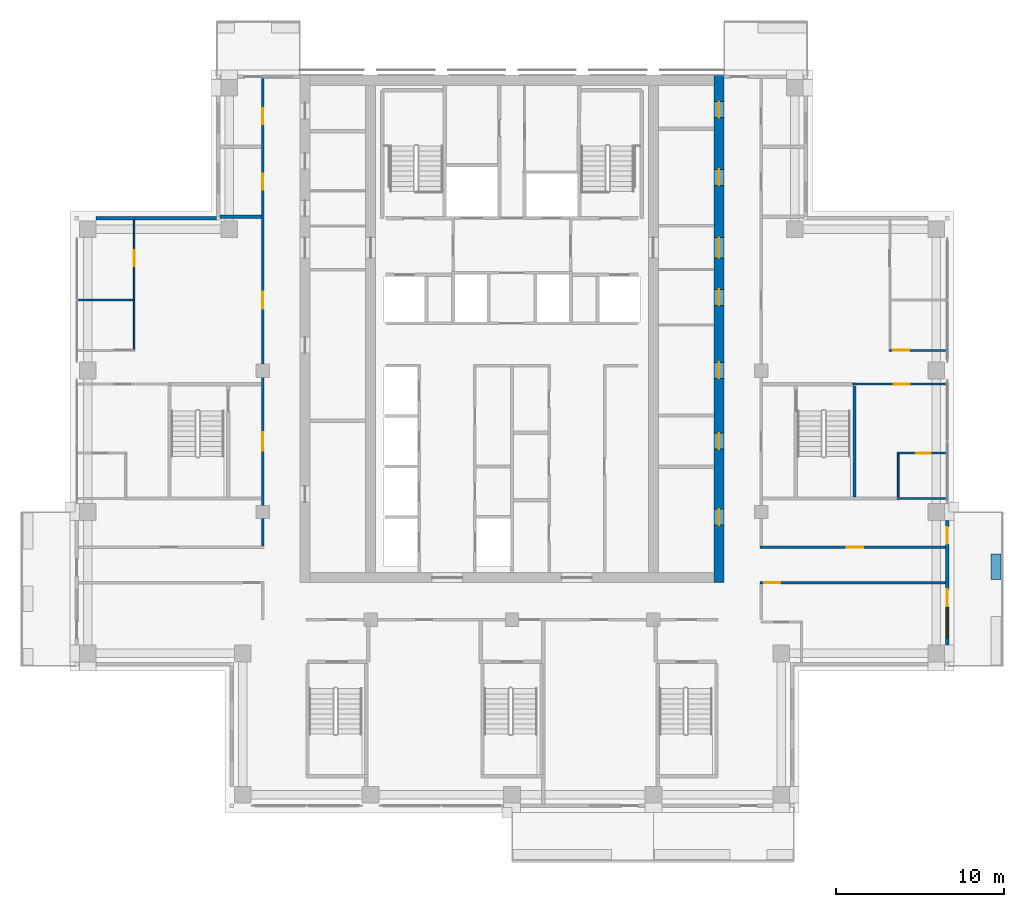
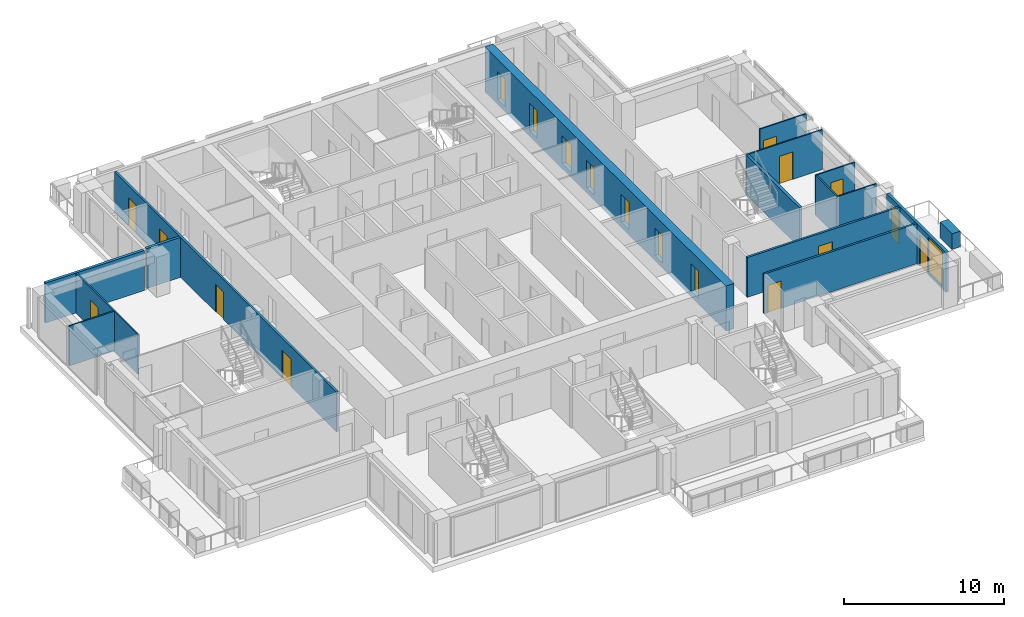
# One storey, part 11 of 17: 19 doors, 16 walls, 1 window, 20 openings.
"""IFC4 building model written with IfcOpenShell, lengths in metres."""

from ifc_helpers import new_model, si_unit, direction, frame, frame_2d, origin, place, context, subcontext, project, spatial, rectangle, extrude, material, layer, layer_set, type_object, element, fill, save


model = new_model("IFC4")

# Units and contexts
model_context = context("Model", 3, precision=1e-05, world=origin(), true_north=direction((0.0, 1.0)))
body_context = subcontext(model_context, "Body", "Model", "MODEL_VIEW")
ifc_project = project(units=[si_unit("LENGTHUNIT", "METRE"), si_unit("AREAUNIT", "SQUARE_METRE"), si_unit("VOLUMEUNIT", "CUBIC_METRE"), si_unit("PLANEANGLEUNIT", "RADIAN"), si_unit("MASSUNIT", "GRAM", prefix="KILO")], contexts=[model_context])

# Site, building, storey
site_placement = place(None, origin())
site = spatial("IfcSite", under=ifc_project, at=site_placement, CompositionType="ELEMENT")
building_placement = place(site_placement, origin())
building = spatial("IfcBuilding", under=site, at=building_placement, Name="Vermilion Ogive Tower", CompositionType="ELEMENT")
storey_placement = place(building_placement, frame((0.0, 0.0, 189.35009765625)))
storey = spatial("IfcBuildingStorey", under=building, at=storey_placement, Name="L49", CompositionType="ELEMENT", Elevation=189.35009765625)

# Wall, openings, doors
ifc_material_1 = material(Name="Concrete B60", Category="concrete")
ifc_layer_1 = layer(ifc_material_1, 0.60009765625)
ifc_layer_set_1 = layer_set([ifc_layer_1], Name="Core wall 600 B60")
wall_type_1 = type_object("IfcWallType", Name="Core wall 600 B60", PredefinedType="SHEAR", material=ifc_layer_set_1)
wall_1_placement = place(storey_placement, frame((12.300048828125, -8.39990234375, -0.400146484375), z_axis=(0.0, 0.0, 1.0), x_axis=(0.0, 1.0, 0.0)))
wall_1 = element("IfcWall", 1, at=wall_1_placement, inside=storey, type_object=wall_type_1, Name="L49-CORE-E", PredefinedType="SHEAR", context=body_context, shape_type="SweptSolid", body=[
    extrude(rectangle(XDim=30.14990234375, YDim=0.60009765625, at=frame_2d((15.074951171875, 0.0))), origin(), (0.0, 0.0, 1.0), 3.449951171875),
])
opening_1_placement = place(wall_1_placement, frame((3.415771484375, 0.0, 0.39990234375)))
opening_1 = element("IfcOpeningElement", 2, at=opening_1_placement, cuts=wall_1, Name="Opening DAC072", PredefinedType="OPENING", context=body_context, shape_type="SweptSolid", body=[
    extrude(rectangle(XDim=0.949951171875, YDim=2.10009765625, at=frame_2d((0.47509765625, 1.050048828125))), frame((0.0, 0.31005859375, 0.0), z_axis=(0.0, -1.0, 0.0), x_axis=(1.0, 0.0, 0.0)), (0.0, 0.0, 1.0), 0.6201171875),
])
opening_2_placement = place(wall_1_placement, frame((7.93212890625, 0.0, 0.39990234375)))
opening_2 = element("IfcOpeningElement", 3, at=opening_2_placement, cuts=wall_1, Name="Opening DAC073", PredefinedType="OPENING", context=body_context, shape_type="SweptSolid", body=[
    extrude(rectangle(XDim=0.949951171875, YDim=2.10009765625, at=frame_2d((0.47509765625, 1.050048828125))), frame((0.0, 0.31005859375, 0.0), z_axis=(0.0, -1.0, 0.0), x_axis=(1.0, 0.0, 0.0)), (0.0, 0.0, 1.0), 0.6201171875),
])
opening_3_placement = place(wall_1_placement, frame((12.1435546875, 0.0, 0.39990234375)))
opening_3 = element("IfcOpeningElement", 4, at=opening_3_placement, cuts=wall_1, Name="Opening DAC074", PredefinedType="OPENING", context=body_context, shape_type="SweptSolid", body=[
    extrude(rectangle(XDim=0.949951171875, YDim=2.10009765625, at=frame_2d((0.47509765625, 1.050048828125))), frame((0.0, 0.31005859375, 0.0), z_axis=(0.0, -1.0, 0.0), x_axis=(1.0, 0.0, 0.0)), (0.0, 0.0, 1.0), 0.6201171875),
])
opening_4_placement = place(wall_1_placement, frame((16.47705078125, 0.0, 0.39990234375)))
opening_4 = element("IfcOpeningElement", 5, at=opening_4_placement, cuts=wall_1, Name="Opening DAC075", PredefinedType="OPENING", context=body_context, shape_type="SweptSolid", body=[
    extrude(rectangle(XDim=0.949951171875, YDim=2.10009765625, at=frame_2d((0.47509765625, 1.050048828125))), frame((0.0, 0.31005859375, 0.0), z_axis=(0.0, -1.0, 0.0), x_axis=(1.0, 0.0, 0.0)), (0.0, 0.0, 1.0), 0.6201171875),
])
opening_5_placement = place(wall_1_placement, frame((23.60498046875, 0.0, 0.39990234375)))
opening_5 = element("IfcOpeningElement", 6, at=opening_5_placement, cuts=wall_1, Name="Opening DAC076", PredefinedType="OPENING", context=body_context, shape_type="SweptSolid", body=[
    extrude(rectangle(XDim=0.949951171875, YDim=2.10009765625, at=frame_2d((0.47509765625, 1.050048828125))), frame((0.0, 0.31005859375, 0.0), z_axis=(0.0, -1.0, 0.0), x_axis=(1.0, 0.0, 0.0)), (0.0, 0.0, 1.0), 0.6201171875),
])
opening_6_placement = place(wall_1_placement, frame((27.630126953125, 0.0, 0.39990234375)))
opening_6 = element("IfcOpeningElement", 7, at=opening_6_placement, cuts=wall_1, Name="Opening DAC077", PredefinedType="OPENING", context=body_context, shape_type="SweptSolid", body=[
    extrude(rectangle(XDim=0.949951171875, YDim=2.10009765625, at=frame_2d((0.47509765625, 1.050048828125))), frame((0.0, 0.31005859375, 0.0), z_axis=(0.0, -1.0, 0.0), x_axis=(1.0, 0.0, 0.0)), (0.0, 0.0, 1.0), 0.6201171875),
])
opening_7_placement = place(wall_1_placement, frame((19.300048828125, 0.0, 0.39990234375)))
opening_7 = element("IfcOpeningElement", 8, at=opening_7_placement, cuts=wall_1, Name="Opening DAL019", PredefinedType="OPENING", context=body_context, shape_type="SweptSolid", body=[
    extrude(rectangle(XDim=1.199951171875, YDim=2.10009765625, at=frame_2d((0.60009765625, 1.050048828125))), frame((0.0, 0.31005859375, 0.0), z_axis=(0.0, -1.0, 0.0), x_axis=(1.0, 0.0, 0.0)), (0.0, 0.0, 1.0), 0.6201171875),
])
ifc_material_2 = material(Name="Timber door leaf", Category="wood")
door_type_1 = type_object("IfcDoorType", Name="Link door 1200 x 2100 FD60S", OperationType="SINGLE_SWING_LEFT", PredefinedType="DOOR", material=ifc_material_2)
door_1_placement = place(opening_7_placement, origin())
door_1 = element("IfcDoor", 9, at=door_1_placement, inside=storey, type_object=door_type_1, Name="L49-CKE-XL", OperationType="SINGLE_SWING_LEFT", OverallHeight=2.10009765625, OverallWidth=1.199951171875, PredefinedType="DOOR", context=body_context, shape_type="SweptSolid", body=[
    extrude(rectangle(XDim=1.199951171875, YDim=2.10009765625, at=frame_2d((0.60009765625, 1.050048828125))), frame((0.0, 0.02490234375, 0.0), z_axis=(0.0, -1.0, 0.0), x_axis=(1.0, 0.0, 0.0)), (0.0, 0.0, 1.0), 0.050048828125),
])
fill(opening_7, door_1)
ifc_material_3 = material(Name="Timber door leaf", Category="wood")
door_type_2 = type_object("IfcDoorType", Name="Service door 950 x 2100 FD60", OperationType="SINGLE_SWING_LEFT", PredefinedType="DOOR", material=ifc_material_3)
door_2_placement = place(opening_1_placement, origin())
door_2 = element("IfcDoor", 10, at=door_2_placement, inside=storey, type_object=door_type_2, Name="L49-CKE-XR0", OperationType="SINGLE_SWING_LEFT", OverallHeight=2.10009765625, OverallWidth=0.949951171875, PredefinedType="DOOR", context=body_context, shape_type="SweptSolid", body=[
    extrude(rectangle(XDim=0.949951171875, YDim=2.10009765625, at=frame_2d((0.47509765625, 1.050048828125))), frame((0.0, 0.02490234375, 0.0), z_axis=(0.0, -1.0, 0.0), x_axis=(1.0, 0.0, 0.0)), (0.0, 0.0, 1.0), 0.050048828125),
])
fill(opening_1, door_2)
door_3_placement = place(opening_2_placement, origin())
door_3 = element("IfcDoor", 11, at=door_3_placement, inside=storey, type_object=door_type_2, Name="L49-CKE-XR1", OperationType="SINGLE_SWING_LEFT", OverallHeight=2.10009765625, OverallWidth=0.949951171875, PredefinedType="DOOR", context=body_context, shape_type="SweptSolid", body=[
    extrude(rectangle(XDim=0.949951171875, YDim=2.10009765625, at=frame_2d((0.47509765625, 1.050048828125))), frame((0.0, 0.02490234375, 0.0), z_axis=(0.0, -1.0, 0.0), x_axis=(1.0, 0.0, 0.0)), (0.0, 0.0, 1.0), 0.050048828125),
])
fill(opening_2, door_3)
door_4_placement = place(opening_3_placement, origin())
door_4 = element("IfcDoor", 12, at=door_4_placement, inside=storey, type_object=door_type_2, Name="L49-CKE-XR2", OperationType="SINGLE_SWING_LEFT", OverallHeight=2.10009765625, OverallWidth=0.949951171875, PredefinedType="DOOR", context=body_context, shape_type="SweptSolid", body=[
    extrude(rectangle(XDim=0.949951171875, YDim=2.10009765625, at=frame_2d((0.47509765625, 1.050048828125))), frame((0.0, 0.02490234375, 0.0), z_axis=(0.0, -1.0, 0.0), x_axis=(1.0, 0.0, 0.0)), (0.0, 0.0, 1.0), 0.050048828125),
])
fill(opening_3, door_4)
door_5_placement = place(opening_4_placement, origin())
door_5 = element("IfcDoor", 13, at=door_5_placement, inside=storey, type_object=door_type_2, Name="L49-CKE-XR3", OperationType="SINGLE_SWING_LEFT", OverallHeight=2.10009765625, OverallWidth=0.949951171875, PredefinedType="DOOR", context=body_context, shape_type="SweptSolid", body=[
    extrude(rectangle(XDim=0.949951171875, YDim=2.10009765625, at=frame_2d((0.47509765625, 1.050048828125))), frame((0.0, 0.02490234375, 0.0), z_axis=(0.0, -1.0, 0.0), x_axis=(1.0, 0.0, 0.0)), (0.0, 0.0, 1.0), 0.050048828125),
])
fill(opening_4, door_5)
door_6_placement = place(opening_5_placement, origin())
door_6 = element("IfcDoor", 14, at=door_6_placement, inside=storey, type_object=door_type_2, Name="L49-CKE-XR4", OperationType="SINGLE_SWING_LEFT", OverallHeight=2.10009765625, OverallWidth=0.949951171875, PredefinedType="DOOR", context=body_context, shape_type="SweptSolid", body=[
    extrude(rectangle(XDim=0.949951171875, YDim=2.10009765625, at=frame_2d((0.47509765625, 1.050048828125))), frame((0.0, 0.02490234375, 0.0), z_axis=(0.0, -1.0, 0.0), x_axis=(1.0, 0.0, 0.0)), (0.0, 0.0, 1.0), 0.050048828125),
])
fill(opening_5, door_6)
door_7_placement = place(opening_6_placement, origin())
door_7 = element("IfcDoor", 15, at=door_7_placement, inside=storey, type_object=door_type_2, Name="L49-CKE-XR5", OperationType="SINGLE_SWING_LEFT", OverallHeight=2.10009765625, OverallWidth=0.949951171875, PredefinedType="DOOR", context=body_context, shape_type="SweptSolid", body=[
    extrude(rectangle(XDim=0.949951171875, YDim=2.10009765625, at=frame_2d((0.47509765625, 1.050048828125))), frame((0.0, 0.02490234375, 0.0), z_axis=(0.0, -1.0, 0.0), x_axis=(1.0, 0.0, 0.0)), (0.0, 0.0, 1.0), 0.050048828125),
])
fill(opening_6, door_7)

# Wall
ifc_material_4 = material(Name="Gypsum board partition on steel studs", Category="steel")
ifc_layer_2 = layer(ifc_material_4, 0.10009765625)
ifc_layer_set_2 = layer_set([ifc_layer_2], Name="Partition 100 bath")
wall_type_2 = type_object("IfcWallType", Name="Partition 100 bath", PredefinedType="PARTITIONING", material=ifc_layer_set_2)
wall_2_placement = place(storey_placement, frame((22.89990234375, -3.39990234375, 0.0), z_axis=(0.0, 0.0, 1.0), x_axis=(1.0, 0.0, 0.0)))
element("IfcWall", 16, at=wall_2_placement, inside=storey, type_object=wall_type_2, Name="L49-W-W014", PredefinedType="PARTITIONING", context=body_context, shape_type="SweptSolid", body=[
    extrude(rectangle(XDim=2.85009765625, YDim=0.10009765625, at=frame_2d((1.425048828125, 0.0))), origin(), (0.0, 0.0, 1.0), 3.0498046875),
])

# Wall, opening, door
wall_3_placement = place(storey_placement, frame((22.89990234375, -0.699951171875, 0.0), z_axis=(0.0, 0.0, 1.0), x_axis=(1.0, 0.0, 0.0)))
wall_3 = element("IfcWall", 17, at=wall_3_placement, inside=storey, type_object=wall_type_2, Name="L49-W-W016", PredefinedType="PARTITIONING", context=body_context, shape_type="SweptSolid", body=[
    extrude(rectangle(XDim=2.85009765625, YDim=0.10009765625, at=frame_2d((1.425048828125, 0.0))), origin(), (0.0, 0.0, 1.0), 3.0498046875),
])
opening_8_placement = place(wall_3_placement, frame((1.125, 0.0, 0.0)))
opening_8 = element("IfcOpeningElement", 18, at=opening_8_placement, cuts=wall_3, Name="Opening D4G2017", PredefinedType="OPENING", context=body_context, shape_type="SweptSolid", body=[
    extrude(rectangle(XDim=0.85009765625, YDim=2.10009765625, at=frame_2d((0.425048828125, 1.050048828125))), frame((0.0, 0.06005859375, 0.0), z_axis=(0.0, -1.0, 0.0), x_axis=(1.0, 0.0, 0.0)), (0.0, 0.0, 1.0), 0.1201171875),
])
ifc_material_5 = material(Name="Timber door leaf", Category="wood")
door_type_3 = type_object("IfcDoorType", Name="Bath door 850 x 2100 FD30", OperationType="SINGLE_SWING_LEFT", PredefinedType="DOOR", material=ifc_material_5)
door_8_placement = place(opening_8_placement, origin())
door_8 = element("IfcDoor", 19, at=door_8_placement, inside=storey, type_object=door_type_3, Name="L49-D-D017", OperationType="SINGLE_SWING_RIGHT", OverallHeight=2.10009765625, OverallWidth=0.85009765625, PredefinedType="DOOR", context=body_context, shape_type="SweptSolid", body=[
    extrude(rectangle(XDim=0.85009765625, YDim=2.10009765625, at=frame_2d((0.425048828125, 1.050048828125))), frame((0.0, 0.02490234375, 0.0), z_axis=(0.0, -1.0, 0.0), x_axis=(1.0, 0.0, 0.0)), (0.0, 0.0, 1.0), 0.050048828125),
])
fill(opening_8, door_8)

# Wall
wall_4_placement = place(storey_placement, frame((22.949951171875, -3.300048828125, 0.0), z_axis=(0.0, 0.0, 1.0), x_axis=(0.0, 1.0, 0.0)))
element("IfcWall", 20, at=wall_4_placement, inside=storey, type_object=wall_type_2, Name="L49-W-W047", PredefinedType="PARTITIONING", context=body_context, shape_type="SweptSolid", body=[
    extrude(rectangle(XDim=2.550048828125, YDim=0.10009765625, at=frame_2d((1.27490234375, 0.0))), origin(), (0.0, 0.0, 1.0), 3.0498046875),
])

# Wall, opening, door
ifc_material_6 = material(Name="Gypsum board partition on steel studs", Category="steel")
ifc_layer_3 = layer(ifc_material_6, 0.10009765625)
ifc_layer_set_3 = layer_set([ifc_layer_3], Name="Partition 100 inner")
wall_type_3 = type_object("IfcWallType", Name="Partition 100 inner", PredefinedType="PARTITIONING", material=ifc_layer_set_3)
wall_5_placement = place(storey_placement, frame((20.25, 3.39990234375, 0.0), z_axis=(0.0, 0.0, 1.0), x_axis=(1.0, 0.0, 0.0)))
wall_5 = element("IfcWall", 21, at=wall_5_placement, inside=storey, type_object=wall_type_3, Name="L49-W-W020", PredefinedType="PARTITIONING", context=body_context, shape_type="SweptSolid", body=[
    extrude(rectangle(XDim=5.5, YDim=0.10009765625, at=frame_2d((2.75, 0.0))), origin(), (0.0, 0.0, 1.0), 3.0498046875),
])
opening_9_placement = place(wall_5_placement, frame((2.425048828125, 0.0, 0.0)))
opening_9 = element("IfcOpeningElement", 22, at=opening_9_placement, cuts=wall_5, Name="Opening D4G2016", PredefinedType="OPENING", context=body_context, shape_type="SweptSolid", body=[
    extrude(rectangle(XDim=0.949951171875, YDim=2.10009765625, at=frame_2d((0.47509765625, 1.050048828125))), frame((0.0, 0.06005859375, 0.0), z_axis=(0.0, -1.0, 0.0), x_axis=(1.0, 0.0, 0.0)), (0.0, 0.0, 1.0), 0.1201171875),
])
ifc_material_7 = material(Name="Timber door leaf", Category="wood")
door_type_4 = type_object("IfcDoorType", Name="Inner door 950 x 2100 FD30", OperationType="SINGLE_SWING_LEFT", PredefinedType="DOOR", material=ifc_material_7)
door_9_placement = place(opening_9_placement, origin())
door_9 = element("IfcDoor", 23, at=door_9_placement, inside=storey, type_object=door_type_4, Name="L49-D-D016", OperationType="SINGLE_SWING_LEFT", OverallHeight=2.10009765625, OverallWidth=0.949951171875, PredefinedType="DOOR", context=body_context, shape_type="SweptSolid", body=[
    extrude(rectangle(XDim=0.949951171875, YDim=2.10009765625, at=frame_2d((0.47509765625, 1.050048828125))), frame((0.0, 0.02490234375, 0.0), z_axis=(0.0, -1.0, 0.0), x_axis=(1.0, 0.0, 0.0)), (0.0, 0.0, 1.0), 0.050048828125),
])
fill(opening_9, door_9)

wall_6_placement = place(storey_placement, frame((22.39990234375, 5.39990234375, 0.0), z_axis=(0.0, 0.0, 1.0), x_axis=(1.0, 0.0, 0.0)))
wall_6 = element("IfcWall", 24, at=wall_6_placement, inside=storey, type_object=wall_type_3, Name="L49-W-W022", PredefinedType="PARTITIONING", context=body_context, shape_type="SweptSolid", body=[
    extrude(rectangle(XDim=3.35009765625, YDim=0.10009765625, at=frame_2d((1.675048828125, 0.0))), origin(), (0.0, 0.0, 1.0), 3.0498046875),
])
opening_10_placement = place(wall_6_placement, frame((0.25, 0.0, 0.0)))
opening_10 = element("IfcOpeningElement", 25, at=opening_10_placement, cuts=wall_6, Name="Opening D4G2013", PredefinedType="OPENING", context=body_context, shape_type="SweptSolid", body=[
    extrude(rectangle(XDim=0.949951171875, YDim=2.10009765625, at=frame_2d((0.47509765625, 1.050048828125))), frame((0.0, 0.06005859375, 0.0), z_axis=(0.0, -1.0, 0.0), x_axis=(1.0, 0.0, 0.0)), (0.0, 0.0, 1.0), 0.1201171875),
])
door_10_placement = place(opening_10_placement, origin())
door_10 = element("IfcDoor", 26, at=door_10_placement, inside=storey, type_object=door_type_4, Name="L49-D-D013", OperationType="SINGLE_SWING_LEFT", OverallHeight=2.10009765625, OverallWidth=0.949951171875, PredefinedType="DOOR", context=body_context, shape_type="SweptSolid", body=[
    extrude(rectangle(XDim=0.949951171875, YDim=2.10009765625, at=frame_2d((0.47509765625, 1.050048828125))), frame((0.0, 0.02490234375, 0.0), z_axis=(0.0, -1.0, 0.0), x_axis=(1.0, 0.0, 0.0)), (0.0, 0.0, 1.0), 0.050048828125),
])
fill(opening_10, door_10)

# Wall
wall_7_placement = place(storey_placement, frame((-25.75, 8.39990234375, 0.0), z_axis=(0.0, 0.0, 1.0), x_axis=(1.0, 0.0, 0.0)))
element("IfcWall", 27, at=wall_7_placement, inside=storey, type_object=wall_type_3, Name="L49-W-W023", PredefinedType="PARTITIONING", context=body_context, shape_type="SweptSolid", body=[
    extrude(rectangle(XDim=3.25, YDim=0.10009765625, at=frame_2d((1.625, 0.0))), origin(), (0.0, 0.0, 1.0), 3.0498046875),
])

# Wall, opening, door
wall_8_placement = place(storey_placement, frame((-22.449951171875, 5.449951171875, 0.0), z_axis=(0.0, 0.0, 1.0), x_axis=(0.0, 1.0, 0.0)))
wall_8 = element("IfcWall", 28, at=wall_8_placement, inside=storey, type_object=wall_type_3, Name="L49-W-W030", PredefinedType="PARTITIONING", context=body_context, shape_type="SweptSolid", body=[
    extrude(rectangle(XDim=7.699951171875, YDim=0.10009765625, at=frame_2d((3.85009765625, 0.0))), origin(), (0.0, 0.0, 1.0), 3.0498046875),
])
opening_11_placement = place(wall_8_placement, frame((4.949951171875, 0.0, 0.0)))
opening_11 = element("IfcOpeningElement", 29, at=opening_11_placement, cuts=wall_8, Name="Opening D4G2003", PredefinedType="OPENING", context=body_context, shape_type="SweptSolid", body=[
    extrude(rectangle(XDim=0.949951171875, YDim=2.10009765625, at=frame_2d((0.47509765625, 1.050048828125))), frame((0.0, 0.06005859375, 0.0), z_axis=(0.0, -1.0, 0.0), x_axis=(1.0, 0.0, 0.0)), (0.0, 0.0, 1.0), 0.1201171875),
])
door_11_placement = place(opening_11_placement, origin())
door_11 = element("IfcDoor", 30, at=door_11_placement, inside=storey, type_object=door_type_4, Name="L49-D-D003", OperationType="SINGLE_SWING_RIGHT", OverallHeight=2.10009765625, OverallWidth=0.949951171875, PredefinedType="DOOR", context=body_context, shape_type="SweptSolid", body=[
    extrude(rectangle(XDim=0.949951171875, YDim=2.10009765625, at=frame_2d((0.47509765625, 1.050048828125))), frame((0.0, 0.02490234375, 0.0), z_axis=(0.0, -1.0, 0.0), x_axis=(1.0, 0.0, 0.0)), (0.0, 0.0, 1.0), 0.050048828125),
])
fill(opening_11, door_11)

ifc_material_8 = material(Name="Gypsum board partition on steel studs", Category="steel")
ifc_layer_4 = layer(ifc_material_8, 0.14990234375)
ifc_layer_set_4 = layer_set([ifc_layer_4], Name="Partition 150 corridor")
wall_type_4 = type_object("IfcWallType", Name="Partition 150 corridor", PredefinedType="PARTITIONING", material=ifc_layer_set_4)
wall_9_placement = place(storey_placement, frame((14.72509765625, -8.39990234375, 0.0), z_axis=(0.0, 0.0, 1.0), x_axis=(1.0, 0.0, 0.0)))
wall_9 = element("IfcWall", 31, at=wall_9_placement, inside=storey, type_object=wall_type_4, Name="L49-W-W008", PredefinedType="PARTITIONING", context=body_context, shape_type="SweptSolid", body=[
    extrude(rectangle(XDim=11.02490234375, YDim=0.14990234375, at=frame_2d((5.512451171875, 0.0))), origin(), (0.0, 0.0, 1.0), 3.0498046875),
])
opening_12_placement = place(wall_9_placement, frame((0.27490234375, 0.0, 0.0)))
opening_12 = element("IfcOpeningElement", 32, at=opening_12_placement, cuts=wall_9, Name="Opening D4G2011", PredefinedType="OPENING", context=body_context, shape_type="SweptSolid", body=[
    extrude(rectangle(XDim=0.949951171875, YDim=2.10009765625, at=frame_2d((0.47509765625, 1.050048828125))), frame((0.0, 0.0849609375, 0.0), z_axis=(0.0, -1.0, 0.0), x_axis=(1.0, 0.0, 0.0)), (0.0, 0.0, 1.0), 0.169921875),
])
ifc_material_9 = material(Name="Timber door leaf", Category="wood")
door_type_5 = type_object("IfcDoorType", Name="Unit door 950 x 2100 FD30S", OperationType="SINGLE_SWING_LEFT", PredefinedType="DOOR", material=ifc_material_9)
door_12_placement = place(opening_12_placement, origin())
door_12 = element("IfcDoor", 33, at=door_12_placement, inside=storey, type_object=door_type_5, Name="L49-D-D011", OperationType="SINGLE_SWING_RIGHT", OverallHeight=2.10009765625, OverallWidth=0.949951171875, PredefinedType="DOOR", context=body_context, shape_type="SweptSolid", body=[
    extrude(rectangle(XDim=0.949951171875, YDim=2.10009765625, at=frame_2d((0.47509765625, 1.050048828125))), frame((0.0, 0.02490234375, 0.0), z_axis=(0.0, -1.0, 0.0), x_axis=(1.0, 0.0, 0.0)), (0.0, 0.0, 1.0), 0.050048828125),
])
fill(opening_12, door_12)

wall_10_placement = place(storey_placement, frame((14.72509765625, -6.300048828125, 0.0), z_axis=(0.0, 0.0, 1.0), x_axis=(1.0, 0.0, 0.0)))
wall_10 = element("IfcWall", 34, at=wall_10_placement, inside=storey, type_object=wall_type_4, Name="L49-W-W010", PredefinedType="PARTITIONING", context=body_context, shape_type="SweptSolid", body=[
    extrude(rectangle(XDim=11.02490234375, YDim=0.14990234375, at=frame_2d((5.512451171875, 0.0))), origin(), (0.0, 0.0, 1.0), 3.0498046875),
])
opening_13_placement = place(wall_10_placement, frame((5.14990234375, 0.0, 0.0)))
opening_13 = element("IfcOpeningElement", 35, at=opening_13_placement, cuts=wall_10, Name="Opening D4G2031", PredefinedType="OPENING", context=body_context, shape_type="SweptSolid", body=[
    extrude(rectangle(XDim=1.0, YDim=2.10009765625, at=frame_2d((0.5, 1.050048828125))), frame((0.0, 0.0849609375, 0.0), z_axis=(0.0, -1.0, 0.0), x_axis=(1.0, 0.0, 0.0)), (0.0, 0.0, 1.0), 0.169921875),
])
ifc_material_10 = material(Name="Timber door leaf", Category="wood")
door_type_6 = type_object("IfcDoorType", Name="Unit door 1000 x 2100 FD30S", OperationType="SINGLE_SWING_LEFT", PredefinedType="DOOR", material=ifc_material_10)
door_13_placement = place(opening_13_placement, origin())
door_13 = element("IfcDoor", 36, at=door_13_placement, inside=storey, type_object=door_type_6, Name="L49-D-D031", OperationType="SINGLE_SWING_RIGHT", OverallHeight=2.10009765625, OverallWidth=1.0, PredefinedType="DOOR", context=body_context, shape_type="SweptSolid", body=[
    extrude(rectangle(XDim=1.0, YDim=2.10009765625, at=frame_2d((0.5, 1.050048828125))), frame((0.0, 0.02490234375, 0.0), z_axis=(0.0, -1.0, 0.0), x_axis=(1.0, 0.0, 0.0)), (0.0, 0.0, 1.0), 0.050048828125),
])
fill(opening_13, door_13)

# Wall, openings, doors
wall_11_placement = place(storey_placement, frame((-14.800048828125, -6.22509765625, 0.0), z_axis=(0.0, 0.0, 1.0), x_axis=(0.0, 1.0, 0.0)))
wall_11 = element("IfcWall", 37, at=wall_11_placement, inside=storey, type_object=wall_type_4, Name="L49-W-W034", PredefinedType="PARTITIONING", context=body_context, shape_type="SweptSolid", body=[
    extrude(rectangle(XDim=27.775146484375, YDim=0.14990234375, at=frame_2d((13.8876953125, 0.0))), origin(), (0.0, 0.0, 1.0), 3.0498046875),
])
opening_14_placement = place(wall_11_placement, frame((14.10009765625, 0.0, 0.0)))
opening_14 = element("IfcOpeningElement", 38, at=opening_14_placement, cuts=wall_11, Name="Opening D4G2004", PredefinedType="OPENING", context=body_context, shape_type="SweptSolid", body=[
    extrude(rectangle(XDim=1.0, YDim=2.10009765625, at=frame_2d((0.5, 1.050048828125))), frame((0.0, 0.0849609375, 0.0), z_axis=(0.0, -1.0, 0.0), x_axis=(1.0, 0.0, 0.0)), (0.0, 0.0, 1.0), 0.169921875),
])
opening_15_placement = place(wall_11_placement, frame((21.175048828125, 0.0, 0.0)))
opening_15 = element("IfcOpeningElement", 39, at=opening_15_placement, cuts=wall_11, Name="Opening D4G2007", PredefinedType="OPENING", context=body_context, shape_type="SweptSolid", body=[
    extrude(rectangle(XDim=0.949951171875, YDim=2.10009765625, at=frame_2d((0.47509765625, 1.050048828125))), frame((0.0, 0.0849609375, 0.0), z_axis=(0.0, -1.0, 0.0), x_axis=(1.0, 0.0, 0.0)), (0.0, 0.0, 1.0), 0.169921875),
])
opening_16_placement = place(wall_11_placement, frame((25.0751953125, 0.0, 0.0)))
opening_16 = element("IfcOpeningElement", 40, at=opening_16_placement, cuts=wall_11, Name="Opening D4G2008", PredefinedType="OPENING", context=body_context, shape_type="SweptSolid", body=[
    extrude(rectangle(XDim=0.949951171875, YDim=2.10009765625, at=frame_2d((0.47509765625, 1.050048828125))), frame((0.0, 0.0849609375, 0.0), z_axis=(0.0, -1.0, 0.0), x_axis=(1.0, 0.0, 0.0)), (0.0, 0.0, 1.0), 0.169921875),
])
opening_17_placement = place(wall_11_placement, frame((5.675048828125, 0.0, 0.0)))
opening_17 = element("IfcOpeningElement", 41, at=opening_17_placement, cuts=wall_11, Name="Opening D4G2028", PredefinedType="OPENING", context=body_context, shape_type="SweptSolid", body=[
    extrude(rectangle(XDim=1.10009765625, YDim=2.10009765625, at=frame_2d((0.550048828125, 1.050048828125))), frame((0.0, 0.0849609375, 0.0), z_axis=(0.0, -1.0, 0.0), x_axis=(1.0, 0.0, 0.0)), (0.0, 0.0, 1.0), 0.169921875),
])
ifc_material_11 = material(Name="Timber door leaf", Category="wood")
door_type_7 = type_object("IfcDoorType", Name="Stair door 1100 x 2100 FD60S", OperationType="SINGLE_SWING_LEFT", PredefinedType="DOOR", material=ifc_material_11)
door_14_placement = place(opening_17_placement, origin())
door_14 = element("IfcDoor", 42, at=door_14_placement, inside=storey, type_object=door_type_7, Name="L49-D-D028", OperationType="SINGLE_SWING_RIGHT", OverallHeight=2.10009765625, OverallWidth=1.10009765625, PredefinedType="DOOR", context=body_context, shape_type="SweptSolid", body=[
    extrude(rectangle(XDim=1.10009765625, YDim=2.10009765625, at=frame_2d((0.550048828125, 1.050048828125))), frame((0.0, 0.02490234375, 0.0), z_axis=(0.0, -1.0, 0.0), x_axis=(1.0, 0.0, 0.0)), (0.0, 0.0, 1.0), 0.050048828125),
])
fill(opening_17, door_14)
door_15_placement = place(opening_14_placement, origin())
door_15 = element("IfcDoor", 43, at=door_15_placement, inside=storey, type_object=door_type_6, Name="L49-D-D004", OperationType="SINGLE_SWING_LEFT", OverallHeight=2.10009765625, OverallWidth=1.0, PredefinedType="DOOR", context=body_context, shape_type="SweptSolid", body=[
    extrude(rectangle(XDim=1.0, YDim=2.10009765625, at=frame_2d((0.5, 1.050048828125))), frame((0.0, 0.02490234375, 0.0), z_axis=(0.0, -1.0, 0.0), x_axis=(1.0, 0.0, 0.0)), (0.0, 0.0, 1.0), 0.050048828125),
])
fill(opening_14, door_15)
door_16_placement = place(opening_15_placement, origin())
door_16 = element("IfcDoor", 44, at=door_16_placement, inside=storey, type_object=door_type_5, Name="L49-D-D007", OperationType="SINGLE_SWING_RIGHT", OverallHeight=2.10009765625, OverallWidth=0.949951171875, PredefinedType="DOOR", context=body_context, shape_type="SweptSolid", body=[
    extrude(rectangle(XDim=0.949951171875, YDim=2.10009765625, at=frame_2d((0.47509765625, 1.050048828125))), frame((0.0, 0.02490234375, 0.0), z_axis=(0.0, -1.0, 0.0), x_axis=(1.0, 0.0, 0.0)), (0.0, 0.0, 1.0), 0.050048828125),
])
fill(opening_15, door_16)
door_17_placement = place(opening_16_placement, origin())
door_17 = element("IfcDoor", 45, at=door_17_placement, inside=storey, type_object=door_type_5, Name="L49-D-D008", OperationType="SINGLE_SWING_LEFT", OverallHeight=2.10009765625, OverallWidth=0.949951171875, PredefinedType="DOOR", context=body_context, shape_type="SweptSolid", body=[
    extrude(rectangle(XDim=0.949951171875, YDim=2.10009765625, at=frame_2d((0.47509765625, 1.050048828125))), frame((0.0, 0.02490234375, 0.0), z_axis=(0.0, -1.0, 0.0), x_axis=(1.0, 0.0, 0.0)), (0.0, 0.0, 1.0), 0.050048828125),
])
fill(opening_16, door_17)

# Walls
ifc_material_12 = material(Name="Gypsum board partition on steel studs", Category="steel")
ifc_layer_5 = layer(ifc_material_12, 0.199951171875)
ifc_layer_set_5 = layer_set([ifc_layer_5], Name="Partition 200 party")
wall_type_5 = type_object("IfcWallType", Name="Partition 200 party", PredefinedType="PARTITIONING", material=ifc_layer_set_5)
wall_12_placement = place(storey_placement, frame((-17.35009765625, 13.35009765625, 0.0), z_axis=(0.0, 0.0, 1.0), x_axis=(1.0, 0.0, 0.0)))
element("IfcWall", 46, at=wall_12_placement, inside=storey, type_object=wall_type_5, Name="L49-W-W025", PredefinedType="PARTITIONING", context=body_context, shape_type="SweptSolid", body=[
    extrude(rectangle(XDim=2.47509765625, YDim=0.199951171875, at=frame_2d((1.237548828125, 0.0))), origin(), (0.0, 0.0, 1.0), 3.0498046875),
])
ifc_material_13 = material(Name="Concrete B60", Category="concrete")
ifc_layer_6 = layer(ifc_material_13, 0.199951171875)
ifc_layer_set_6 = layer_set([ifc_layer_6], Name="Stair shaft wall 200 Concrete B60")
wall_type_6 = type_object("IfcWallType", Name="Stair shaft wall 200 Concrete B60", PredefinedType="SOLIDWALL", material=ifc_layer_set_6)
wall_13_placement = place(storey_placement, frame((20.35009765625, -3.300048828125, 0.0), z_axis=(0.0, 0.0, 1.0), x_axis=(0.0, 1.0, 0.0)))
element("IfcWall", 47, at=wall_13_placement, inside=storey, type_object=wall_type_6, Name="L49-W-W045-A", PredefinedType="SOLIDWALL", context=body_context, shape_type="SweptSolid", body=[
    extrude(rectangle(XDim=6.60009765625, YDim=0.199951171875, at=frame_2d((3.300048828125, 0.0))), origin(), (0.0, 0.0, 1.0), 3.0498046875),
])
ifc_material_14 = material(Name="Concrete B40", Category="concrete")
ifc_layer_7 = layer(ifc_material_14, 0.60009765625)
ifc_layer_set_7 = layer_set([ifc_layer_7], Name="Structural planter")
wall_type_7 = type_object("IfcWallType", Name="Structural planter", PredefinedType="USERDEFINED", material=ifc_layer_set_7)
wall_14_placement = place(storey_placement, frame((28.75, -8.199951171875, -0.0400390625), z_axis=(0.0, 0.0, 1.0), x_axis=(0.0, 1.0, 0.0)))
element("IfcWall", 48, at=wall_14_placement, inside=storey, type_object=wall_type_7, Name="Planter E01A2", ObjectType="PLANTER", PredefinedType="USERDEFINED", context=body_context, shape_type="SweptSolid", body=[
    extrude(rectangle(XDim=1.5, YDim=0.60009765625, at=frame_2d((0.75, 0.0))), origin(), (0.0, 0.0, 1.0), 1.199951171875),
])

# Wall, openings, doors, window
ifc_material_15 = material(Name="Aluminium window wall framing", Category="aluminium")
ifc_layer_8 = layer(ifc_material_15, 0.199951171875)
ifc_layer_set_8 = layer_set([ifc_layer_8], Name="Window wall")
wall_type_8 = type_object("IfcWallType", Name="Window wall", PredefinedType="STANDARD", material=ifc_layer_set_8)
wall_15_placement = place(storey_placement, frame((25.85009765625, -12.10009765625, 0.0), z_axis=(0.0, 0.0, 1.0), x_axis=(0.0, 1.0, 0.0)))
wall_15 = element("IfcWall", 49, at=wall_15_placement, inside=storey, type_object=wall_type_8, Name="Window wall E1", PredefinedType="STANDARD", context=body_context, shape_type="SweptSolid", body=[
    extrude(rectangle(XDim=7.400146484375, YDim=0.199951171875, at=frame_2d((3.7001953125, 0.0))), origin(), (0.0, 0.0, 1.0), 3.0498046875),
])
opening_18_placement = place(wall_15_placement, frame((0.39990234375, 0.0, 0.199951171875)))
opening_18 = element("IfcOpeningElement", 50, at=opening_18_placement, cuts=wall_15, Name="Opening W1-E97", PredefinedType="OPENING", context=body_context, shape_type="SweptSolid", body=[
    extrude(rectangle(XDim=1.800048828125, YDim=2.64990234375, at=frame_2d((0.89990234375, 1.324951171875))), frame((0.0, 0.10986328125, 0.0), z_axis=(0.0, -1.0, 0.0), x_axis=(1.0, 0.0, 0.0)), (0.0, 0.0, 1.0), 0.219970703125),
])
opening_19_placement = place(wall_15_placement, frame((2.300048828125, 0.0, 0.0)))
opening_19 = element("IfcOpeningElement", 51, at=opening_19_placement, cuts=wall_15, Name="Opening D1-E97", PredefinedType="OPENING", context=body_context, shape_type="SweptSolid", body=[
    extrude(rectangle(XDim=1.0, YDim=2.39990234375, at=frame_2d((0.5, 1.199951171875))), frame((0.0, 0.10986328125, 0.0), z_axis=(0.0, -1.0, 0.0), x_axis=(1.0, 0.0, 0.0)), (0.0, 0.0, 1.0), 0.219970703125),
])
opening_20_placement = place(wall_15_placement, frame((6.0, 0.0, 0.0)))
opening_20 = element("IfcOpeningElement", 52, at=opening_20_placement, cuts=wall_15, Name="Opening D1-E98", PredefinedType="OPENING", context=body_context, shape_type="SweptSolid", body=[
    extrude(rectangle(XDim=1.0, YDim=2.39990234375, at=frame_2d((0.5, 1.199951171875))), frame((0.0, 0.10986328125, 0.0), z_axis=(0.0, -1.0, 0.0), x_axis=(1.0, 0.0, 0.0)), (0.0, 0.0, 1.0), 0.219970703125),
])
ifc_material_16 = material(Name="Aluminium framed glazed door", Category="aluminium")
door_type_8 = type_object("IfcDoorType", Name="Balcony door D1", OperationType="SINGLE_SWING_LEFT", PredefinedType="DOOR", material=ifc_material_16)
door_18_placement = place(opening_19_placement, origin())
door_18 = element("IfcDoor", 53, at=door_18_placement, inside=storey, type_object=door_type_8, Name="Balcony door E97", OperationType="SINGLE_SWING_LEFT", OverallHeight=2.39990234375, OverallWidth=1.0, PredefinedType="DOOR", context=body_context, shape_type="SweptSolid", body=[
    extrude(rectangle(XDim=1.0, YDim=2.39990234375, at=frame_2d((0.5, 1.199951171875))), frame((0.0, 0.02490234375, 0.0), z_axis=(0.0, -1.0, 0.0), x_axis=(1.0, 0.0, 0.0)), (0.0, 0.0, 1.0), 0.050048828125),
])
fill(opening_19, door_18)
door_19_placement = place(opening_20_placement, origin())
door_19 = element("IfcDoor", 54, at=door_19_placement, inside=storey, type_object=door_type_8, Name="Balcony door E98", OperationType="SINGLE_SWING_LEFT", OverallHeight=2.39990234375, OverallWidth=1.0, PredefinedType="DOOR", context=body_context, shape_type="SweptSolid", body=[
    extrude(rectangle(XDim=1.0, YDim=2.39990234375, at=frame_2d((0.5, 1.199951171875))), frame((0.0, 0.02490234375, 0.0), z_axis=(0.0, -1.0, 0.0), x_axis=(1.0, 0.0, 0.0)), (0.0, 0.0, 1.0), 0.050048828125),
])
fill(opening_20, door_19)
ifc_material_17 = material(Name="Aluminium framed double glazing", Category="aluminium")
window_type = type_object("IfcWindowType", Name="Guest window W1", PartitioningType="SINGLE_PANEL", PredefinedType="WINDOW", material=ifc_material_17)
window_placement = place(opening_18_placement, origin())
window = element("IfcWindow", 55, at=window_placement, inside=storey, type_object=window_type, Name="Window E97", OverallHeight=2.64990234375, OverallWidth=1.800048828125, PartitioningType="SINGLE_PANEL", PredefinedType="WINDOW", context=body_context, shape_type="SweptSolid", body=[
    extrude(rectangle(XDim=1.800048828125, YDim=2.64990234375, at=frame_2d((0.89990234375, 1.324951171875))), frame((0.0, 0.030029296875, 0.0), z_axis=(0.0, -1.0, 0.0), x_axis=(1.0, 0.0, 0.0)), (0.0, 0.0, 1.0), 0.06005859375),
])
fill(opening_18, window)

# Wall
wall_16_placement = place(storey_placement, frame((-17.550048828125, 13.25, 0.0), z_axis=(0.0, 0.0, 1.0), x_axis=(-1.0, 0.0, 0.0)))
element("IfcWall", 56, at=wall_16_placement, inside=storey, type_object=wall_type_8, Name="Window wall X61", PredefinedType="STANDARD", context=body_context, shape_type="SweptSolid", body=[
    extrude(rectangle(XDim=7.14990234375, YDim=0.199951171875, at=frame_2d((3.574951171875, 0.0))), origin(), (0.0, 0.0, 1.0), 3.0498046875),
])

save(model, "model.ifc")
